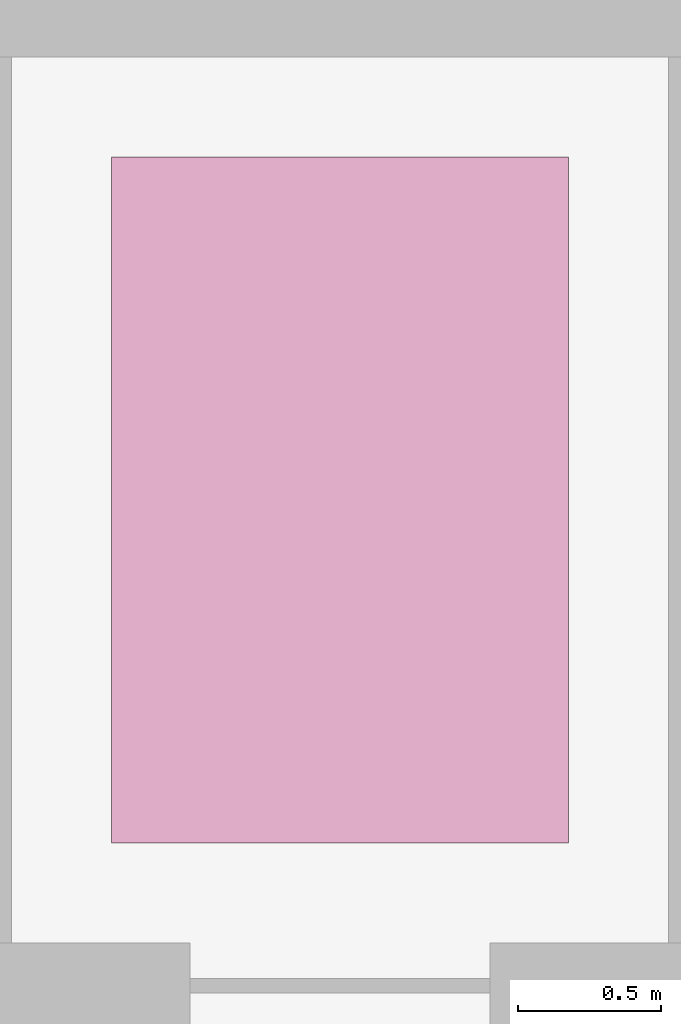
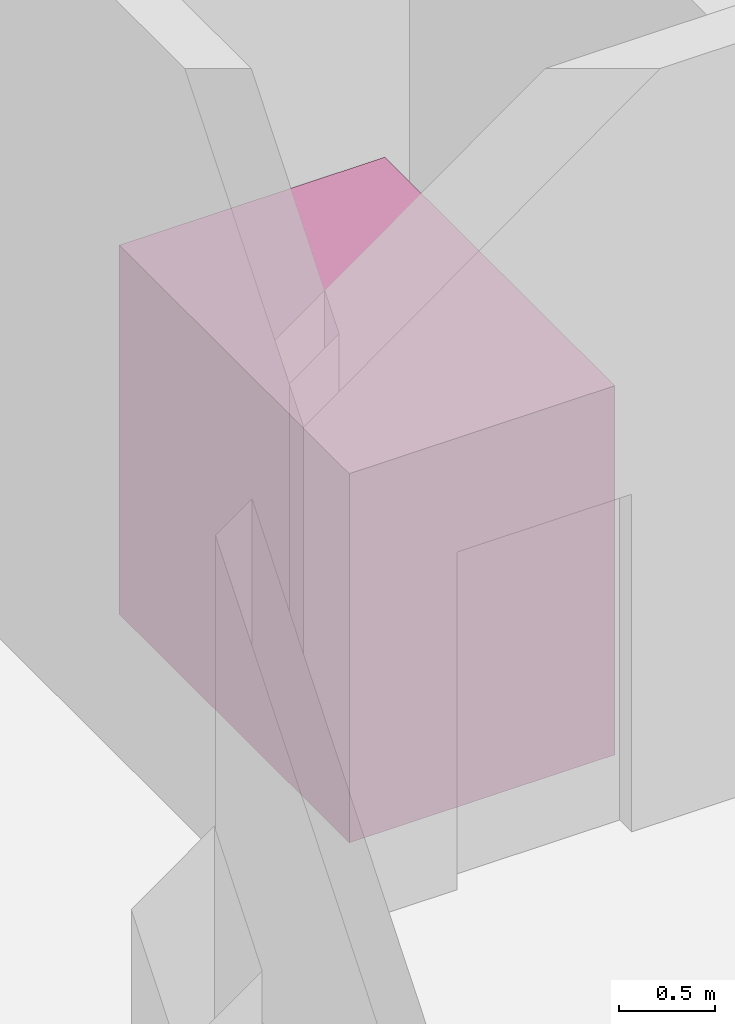
# One storey, part 72 of 72: 1 transport element.
"""IFC4 building model written with IfcOpenShell, lengths in metres."""

from ifc_helpers import new_model, si_unit, direction, frame, origin, origin_2d, place, context, subcontext, project, spatial, rectangle, extrude, material, type_object, element, save


model = new_model("IFC4")

# Units and contexts
model_context = context("Model", 3, precision=1e-05, world=origin(), true_north=direction((0.0, 1.0)))
body_context = subcontext(model_context, "Body", "Model", "MODEL_VIEW")
ifc_project = project(units=[si_unit("LENGTHUNIT", "METRE"), si_unit("AREAUNIT", "SQUARE_METRE"), si_unit("VOLUMEUNIT", "CUBIC_METRE"), si_unit("PLANEANGLEUNIT", "RADIAN"), si_unit("MASSUNIT", "GRAM", prefix="KILO")], contexts=[model_context])

# Site, building, storey
site_placement = place(None, origin())
site = spatial("IfcSite", under=ifc_project, at=site_placement, CompositionType="ELEMENT")
building_placement = place(site_placement, origin())
building = spatial("IfcBuilding", under=site, at=building_placement, Name="Vourika Railside Aquatics Centre", CompositionType="ELEMENT")
storey_placement = place(building_placement, origin())
storey = spatial("IfcBuildingStorey", under=building, at=storey_placement, Name="L00", CompositionType="ELEMENT", Elevation=0.0)

# Transport element
ifc_material = material(Name="Brushed stainless steel elevator car", Category="steel")
transport_element_type = type_object("IfcTransportElementType", Name="LFT-PAX-1600x2400", PredefinedType="ELEVATOR", material=ifc_material)
transport_element_placement = place(storey_placement, frame((152.699951171875, 86.89990234375, 0.0), z_axis=(0.0, 0.0, 1.0), x_axis=(1.0, 0.0, 0.0)))
element("IfcTransportElement", 1, at=transport_element_placement, inside=storey, type_object=transport_element_type, Name="Civic Foyer Passenger Lift LP01", PredefinedType="ELEVATOR", context=body_context, shape_type="SweptSolid", body=[
    extrude(rectangle(XDim=1.60009765625, YDim=2.39990234375, at=origin_2d()), origin(), (0.0, 0.0, 1.0), 2.35009765625),
])

save(model, "model.ifc")
